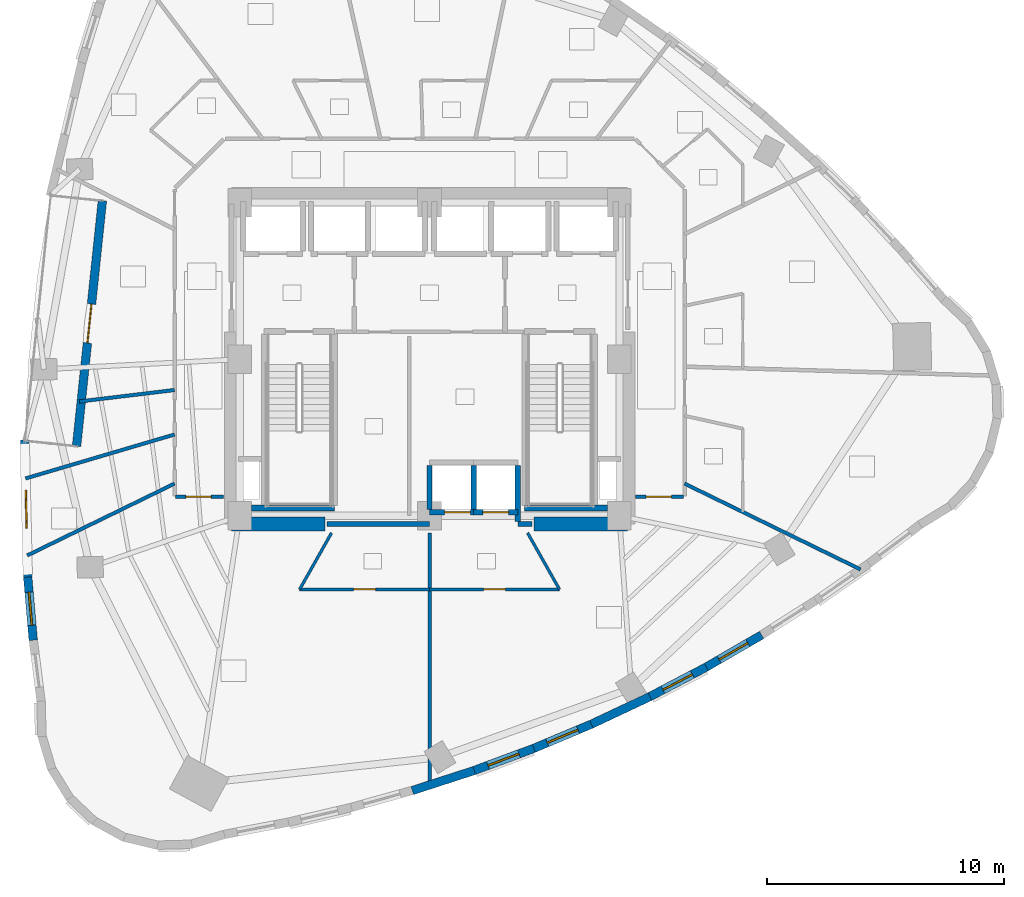
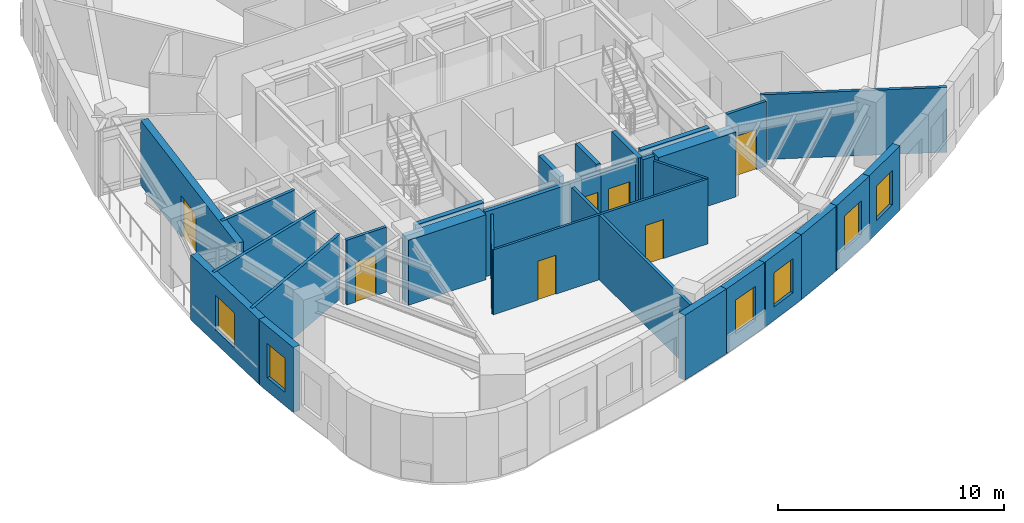
# One storey, part 5 of 12: 31 walls, 7 doors, 6 windows, 13 openings.
"""IFC4 building model written with IfcOpenShell, lengths in metres."""

import ifcopenshell
import ifcopenshell.guid

model = None  # the IFC model being written
_history = None  # IfcOwnerHistory: only IFC2X3 demands one
_inside = {}  # id of a spatial element -> (the spatial element, [elements in it])
_under = {}  # id of a project, library or spatial element -> (it, [spatial elements below it])
_declared = {}  # id of a project -> (the project, [libraries it declares])
_typed = {}  # id of a type object -> (the type object, [elements of that type])
_made_of = {}  # id of a material, layer set ... -> (it, [elements and type objects made of it])


def new_model(schema):
    """Start an empty IFC model of exactly this schema.

    Asked for "IFC4X3", IfcOpenShell would pick the latest addendum, in which some entities
    have other attributes; the version numbers below select the first issue.
    IFC2X3 requires an IfcOwnerHistory on every rooted entity: one is made here for all.
    """
    global model, _history
    if schema == "IFC4X3":
        model = ifcopenshell.file(schema_version=(4, 3, 0, 0))
    else:
        model = ifcopenshell.file(schema=schema)
    _inside.clear()
    _under.clear()
    _declared.clear()
    _typed.clear()
    _made_of.clear()
    _history = None
    if model.schema == "IFC2X3":
        org = make("IfcOrganization", Name="unknown")
        user = make(
            "IfcPersonAndOrganization",
            ThePerson=make("IfcPerson", FamilyName="unknown"),
            TheOrganization=org,
        )
        app = make(
            "IfcApplication",
            ApplicationDeveloper=org,
            Version="unknown",
            ApplicationFullName="unknown",
            ApplicationIdentifier="unknown",
        )
        _history = make(
            "IfcOwnerHistory",
            OwningUser=user,
            OwningApplication=app,
            ChangeAction="ADDED",
            CreationDate=0,
        )
    return model


def make(cls, **values):
    """One entity of the class cls with the attributes given. An attribute that is None is left unset."""
    return model.create_entity(
        cls, **{name: value for name, value in values.items() if value is not None}
    )


def rooted(cls, **values):
    """An entity with a GlobalId (a new one), such as an element, a storey or a relation."""
    return make(cls, GlobalId=ifcopenshell.guid.new(), OwnerHistory=_history, **values)


def si_unit(unit_type, name, prefix=None):
    """IfcSIUnit, for example si_unit("LENGTHUNIT", "METRE", prefix="MILLI")."""
    return make("IfcSIUnit", UnitType=unit_type, Prefix=prefix, Name=name)


def assignment(units):
    """IfcUnitAssignment: the units of a project."""
    return None if units is None else make("IfcUnitAssignment", Units=units)


def point(xyz):
    """IfcCartesianPoint."""
    return None if xyz is None else make("IfcCartesianPoint", Coordinates=xyz)


def direction(xyz):
    """IfcDirection."""
    return None if xyz is None else make("IfcDirection", DirectionRatios=xyz)


def frame(location, z_axis=None, x_axis=None):
    """IfcAxis2Placement3D, a coordinate frame: its origin and axes. An axis left out is left unset."""
    return make(
        "IfcAxis2Placement3D",
        Location=point(location),
        Axis=direction(z_axis),
        RefDirection=direction(x_axis),
    )


def frame_2d(location, x_axis=None):
    """IfcAxis2Placement2D, a coordinate frame in the plane: its origin and x axis."""
    return make(
        "IfcAxis2Placement2D", Location=point(location), RefDirection=direction(x_axis)
    )


def origin():
    """The frame at (0, 0, 0) with its axes left unset."""
    return frame((0.0, 0.0, 0.0))


def place(relative_to, where):
    """IfcLocalPlacement: puts the frame where relative to a parent placement (None: the world)."""
    return make(
        "IfcLocalPlacement", PlacementRelTo=relative_to, RelativePlacement=where
    )


def context(
    kind, dimensions, precision=None, world=None, true_north=None, identifier=None
):
    """IfcGeometricRepresentationContext, for example the 3D "Model" context."""
    return make(
        "IfcGeometricRepresentationContext",
        ContextIdentifier=identifier,
        ContextType=kind,
        CoordinateSpaceDimension=dimensions,
        Precision=precision,
        WorldCoordinateSystem=world,
        TrueNorth=true_north,
    )


def subcontext(parent, identifier, kind, view, scale=None):
    """IfcGeometricRepresentationSubContext, for example "Body" below "Model"."""
    return make(
        "IfcGeometricRepresentationSubContext",
        ContextIdentifier=identifier,
        ContextType=kind,
        ParentContext=parent,
        TargetScale=scale,
        TargetView=view,
    )


def project(units=None, contexts=None):
    """IfcProject with its units and contexts."""
    return rooted(
        "IfcProject",
        Name="project",
        RepresentationContexts=contexts,
        UnitsInContext=assignment(units),
    )


def spatial(cls, under=None, at=None, **own):
    """A site, building, storey or space (cls), placed at a placement, below another one or the project."""
    s = rooted(cls, ObjectPlacement=at, **own)
    if under is not None:
        _under.setdefault(under.id(), (under, []))[1].append(s)
    return s


def profile(cls, at=None, kind="AREA", **sizes):
    """A parametric profile (cls). Its sizes go by their IFC names, for example OverallWidth=200.0."""
    return make(cls, ProfileType=kind, Position=at, **sizes)


def rectangle(**sizes):
    """IfcRectangleProfileDef."""
    return profile("IfcRectangleProfileDef", **sizes)


def extrude(swept, where, along, depth):
    """IfcExtrudedAreaSolid: the profile swept, set in the frame where, extruded along a direction by depth."""
    return make(
        "IfcExtrudedAreaSolid",
        SweptArea=swept,
        Position=where,
        ExtrudedDirection=direction(along),
        Depth=depth,
    )


def shape(context_of_items, identifier, shape_type, items):
    """IfcShapeRepresentation: the items that make up one representation, for example the "Body"."""
    return make(
        "IfcShapeRepresentation",
        ContextOfItems=context_of_items,
        RepresentationIdentifier=identifier,
        RepresentationType=shape_type,
        Items=items,
    )


def material(Name=None, Category=None):
    """IfcMaterial."""
    return make("IfcMaterial", Name=Name, Category=Category)


def layer(
    of_material, thickness, ventilated=None, Name=None, Category=None, Priority=None
):
    """IfcMaterialLayer: one layer of a wall or slab, of a material (None: an air gap)."""
    return make(
        "IfcMaterialLayer",
        Material=of_material,
        LayerThickness=thickness,
        IsVentilated=ventilated,
        Name=Name,
        Category=Category,
        Priority=Priority,
    )


def layer_set(layers, Name=None):
    """IfcMaterialLayerSet."""
    return make("IfcMaterialLayerSet", MaterialLayers=layers, LayerSetName=Name)


def made_of(thing, what):
    """Note that an element or type object is made of a material, layer set ...; save() writes the relation."""
    if what is not None:
        _made_of.setdefault(what.id(), (what, []))[1].append(thing)
    return thing


def type_object(cls, material=None, **own):
    """A type object (cls), such as IfcWallType, which elements share."""
    return made_of(rooted(cls, **own), material)


def element(
    cls,
    number,
    at=None,
    inside=None,
    cuts=None,
    type_object=None,
    material=None,
    context=None,
    identifier="Body",
    shape_type=None,
    held_by="IfcProductDefinitionShape",
    body=None,
    shapes=None,
    **own,
):
    """One element of the class cls, such as IfcWall. Its Tag is "e" and its number.

    at: its placement. inside: the storey or other place that contains it. cuts: it is an
    opening in that element (IfcRelVoidsElement). A single representation is given by context,
    identifier, shape_type and body (its items); several are given by shapes. held_by: the class
    of the entity that holds the representations. save() writes the other relations.
    """
    e = rooted(cls, Tag="e%d" % number, ObjectPlacement=at, **own)
    if body is not None:
        shapes = [shape(context, identifier, shape_type, body)]
    if shapes is not None:
        e.Representation = make(held_by, Representations=shapes)
    if inside is not None:
        _inside.setdefault(inside.id(), (inside, []))[1].append(e)
    if cuts is not None:
        rooted(
            "IfcRelVoidsElement", RelatingBuildingElement=cuts, RelatedOpeningElement=e
        )
    if type_object is not None:
        _typed.setdefault(type_object.id(), (type_object, []))[1].append(e)
    return made_of(e, material)


def fill(opening, filler):
    """IfcRelFillsElement: the door or window that sits in an opening."""
    return rooted(
        "IfcRelFillsElement",
        RelatingOpeningElement=opening,
        RelatedBuildingElement=filler,
    )


def aggregate(whole, parts):
    """IfcRelAggregates: a whole, such as a stair, and the parts it consists of."""
    return rooted("IfcRelAggregates", RelatingObject=whole, RelatedObjects=parts)


def save(model, path):
    """Write the relations noted so far, then the file.

    IfcRelAggregates (storeys below a building ...), IfcRelContainedInSpatialStructure (elements
    in a storey), IfcRelDefinesByType, IfcRelAssociatesMaterial and IfcRelDeclares: one each for
    every whole, place, type object, material and project.
    """
    for whole, parts in _under.values():
        aggregate(whole, parts)
    for where, things in _inside.values():
        rooted(
            "IfcRelContainedInSpatialStructure",
            RelatedElements=things,
            RelatingStructure=where,
        )
    for kind, things in _typed.values():
        rooted("IfcRelDefinesByType", RelatedObjects=things, RelatingType=kind)
    for what, things in _made_of.values():
        rooted("IfcRelAssociatesMaterial", RelatedObjects=things, RelatingMaterial=what)
    for by, libraries in _declared.values():
        rooted("IfcRelDeclares", RelatingContext=by, RelatedDefinitions=libraries)
    model.write(path)


model = new_model("IFC4")

# Units and contexts
model_context = context("Model", 3, precision=1e-05, world=origin(), true_north=direction((0.0, 1.0)))
body_context = subcontext(model_context, "Body", "Model", "MODEL_VIEW")
ifc_project = project(units=[si_unit("LENGTHUNIT", "METRE"), si_unit("AREAUNIT", "SQUARE_METRE"), si_unit("VOLUMEUNIT", "CUBIC_METRE"), si_unit("PLANEANGLEUNIT", "RADIAN"), si_unit("MASSUNIT", "GRAM", prefix="KILO")], contexts=[model_context])

# Site, building, storey
site_placement = place(None, origin())
site = spatial("IfcSite", under=ifc_project, at=site_placement, CompositionType="ELEMENT")
building_placement = place(site_placement, origin())
building = spatial("IfcBuilding", under=site, at=building_placement, Name="Ndelora Gate Hotel", CompositionType="ELEMENT")
storey_placement = place(building_placement, frame((0.0, 0.0, 101.0)))
storey = spatial("IfcBuildingStorey", under=building, at=storey_placement, Name="L24", CompositionType="ELEMENT", Elevation=101.0)

# Wall, opening, door
ifc_material_1 = material(Name="Clay Brick Masonry", Category="masonry")
ifc_layer_1 = layer(ifc_material_1, 0.360107421875)
ifc_layer_set_1 = layer_set([ifc_layer_1], Name="Clay Brick Masonry")
wall_type_1 = type_object("IfcWallType", Name="WL-BRICK-360", PredefinedType="SOLIDWALL", material=ifc_layer_set_1)
wall_1_placement = place(storey_placement, frame((-14.880126953125, -3.664794921875, 0.0), z_axis=(0.0, 0.0, 1.0), x_axis=(0.104508820017, 0.994523959761, 0.0)))
wall_1 = element("IfcWall", 1, at=wall_1_placement, inside=storey, type_object=wall_type_1, Name="L24 Sky-Garden Loggia Rear Brick Wall", PredefinedType="SOLIDWALL", context=body_context, shape_type="SweptSolid", body=[
    extrude(rectangle(XDim=10.400146484375, YDim=0.360107421875, at=frame_2d((5.2001953125, 0.0))), origin(), (0.0, 0.0, 1.0), 3.5),
])
opening_1_placement = place(wall_1_placement, frame((4.375, 0.0, 0.0)))
opening_1 = element("IfcOpeningElement", 2, at=opening_1_placement, cuts=wall_1, Name="Opening TD1", PredefinedType="OPENING", context=body_context, shape_type="SweptSolid", body=[
    extrude(rectangle(XDim=1.64990234375, YDim=2.25, at=frame_2d((0.824951171875, 1.125))), frame((0.0, 0.18994140625, 0.0), z_axis=(0.0, -1.0, 0.0), x_axis=(1.0, 0.0, 0.0)), (0.0, 0.0, 1.0), 0.380126953125),
])
ifc_material_2 = material(Name="Architectural Bronze Glazed Door", Category="metal")
door_type_1 = type_object("IfcDoorType", Name="DR-TER-1650", OperationType="DOUBLE_DOOR_SINGLE_SWING", PredefinedType="DOOR", material=ifc_material_2)
door_1_placement = place(opening_1_placement, origin())
door_1 = element("IfcDoor", 3, at=door_1_placement, inside=storey, type_object=door_type_1, Name="L24 Sky-Garden Terrace Double Door TD1", OperationType="DOUBLE_DOOR_SINGLE_SWING", OverallHeight=2.25, OverallWidth=1.64990234375, PredefinedType="DOOR", context=body_context, shape_type="SweptSolid", body=[
    extrude(rectangle(XDim=1.64990234375, YDim=2.25, at=frame_2d((0.824951171875, 1.125))), frame((0.0, 0.02490234375, 0.0), z_axis=(0.0, -1.0, 0.0), x_axis=(1.0, 0.0, 0.0)), (0.0, 0.0, 1.0), 0.050048828125),
])
fill(opening_1, door_1)

# Wall, opening, window
wall_2_placement = place(storey_placement, frame((-16.937255859375, -9.235107421875, 0.0), z_axis=(0.0, 0.0, 1.0), x_axis=(-0.022541523753, 0.999745907572, 0.0)))
wall_2 = element("IfcWall", 4, at=wall_2_placement, inside=storey, type_object=wall_type_1, Name="L24 Tower Brick Pier-and-Spandrel Wall TWR-16", PredefinedType="SOLIDWALL", context=body_context, shape_type="SweptSolid", body=[
    extrude(rectangle(XDim=5.826904296875, YDim=0.360107421875, at=frame_2d((2.91357421875, 0.0))), origin(), (0.0, 0.0, 1.0), 3.5),
])
opening_2_placement = place(wall_2_placement, frame((2.11328125, 0.0, 0.719970703125)))
opening_2 = element("IfcOpeningElement", 5, at=opening_2_placement, cuts=wall_2, Name="Opening W01", PredefinedType="OPENING", context=body_context, shape_type="SweptSolid", body=[
    extrude(rectangle(XDim=1.60009765625, YDim=1.8798828125, at=frame_2d((0.800048828125, 0.93994140625))), frame((0.0, 0.18994140625, 0.0), z_axis=(0.0, -1.0, 0.0), x_axis=(1.0, 0.0, 0.0)), (0.0, 0.0, 1.0), 0.380126953125),
])
ifc_material_3 = material(Name="Insulated Low-E Double Glazing in Bronze Aluminium Frame", Category="aluminium")
window_type_1 = type_object("IfcWindowType", Name="WN-DEEP-1600", PartitioningType="SINGLE_PANEL", PredefinedType="WINDOW", material=ifc_material_3)
window_1_placement = place(opening_2_placement, origin())
window_1 = element("IfcWindow", 6, at=window_1_placement, inside=storey, type_object=window_type_1, Name="L24 Deep-Set Brick-Pier Window W01", OverallHeight=1.8798828125, OverallWidth=1.60009765625, PartitioningType="SINGLE_PANEL", PredefinedType="WINDOW", context=body_context, shape_type="SweptSolid", body=[
    extrude(rectangle(XDim=1.60009765625, YDim=1.8798828125, at=frame_2d((0.800048828125, 0.93994140625))), frame((0.0, 0.030029296875, 0.0), z_axis=(0.0, -1.0, 0.0), x_axis=(1.0, 0.0, 0.0)), (0.0, 0.0, 1.0), 0.06005859375),
])
fill(opening_2, window_1)

wall_3_placement = place(storey_placement, frame((-16.70849609375, -11.8447265625, 0.0), z_axis=(0.0, 0.0, 1.0), x_axis=(-0.086700653562, 0.996234408496, 0.0)))
wall_3 = element("IfcWall", 7, at=wall_3_placement, inside=storey, type_object=wall_type_1, Name="L24 Tower Brick Pier-and-Spandrel Wall TWR-17", PredefinedType="SOLIDWALL", context=body_context, shape_type="SweptSolid", body=[
    extrude(rectangle(XDim=2.66943359375, YDim=0.360107421875, at=frame_2d((1.334716796875, 0.0))), origin(), (0.0, 0.0, 1.0), 3.5),
])
opening_3_placement = place(wall_3_placement, frame((0.634765625, 0.0, 0.719970703125)))
opening_3 = element("IfcOpeningElement", 8, at=opening_3_placement, cuts=wall_3, Name="Opening W02", PredefinedType="OPENING", context=body_context, shape_type="SweptSolid", body=[
    extrude(rectangle(XDim=1.39990234375, YDim=1.840087890625, at=frame_2d((0.699951171875, 0.919921875))), frame((0.0, 0.18994140625, 0.0), z_axis=(0.0, -1.0, 0.0), x_axis=(1.0, 0.0, 0.0)), (0.0, 0.0, 1.0), 0.380126953125),
])
window_type_2 = type_object("IfcWindowType", Name="WN-DEEP-1400", PartitioningType="SINGLE_PANEL", PredefinedType="WINDOW", material=ifc_material_3)
window_2_placement = place(opening_3_placement, origin())
window_2 = element("IfcWindow", 9, at=window_2_placement, inside=storey, type_object=window_type_2, Name="L24 Deep-Set Brick-Pier Window W02", OverallHeight=1.840087890625, OverallWidth=1.39990234375, PartitioningType="SINGLE_PANEL", PredefinedType="WINDOW", context=body_context, shape_type="SweptSolid", body=[
    extrude(rectangle(XDim=1.39990234375, YDim=1.840087890625, at=frame_2d((0.699951171875, 0.919921875))), frame((0.0, 0.030029296875, 0.0), z_axis=(0.0, -1.0, 0.0), x_axis=(1.0, 0.0, 0.0)), (0.0, 0.0, 1.0), 0.06005859375),
])
fill(opening_3, window_2)

# Wall
wall_4_placement = place(storey_placement, frame((1.8818359375, -17.338623046875, 0.0), z_axis=(0.0, 0.0, 1.0), x_axis=(-0.951405423372, -0.307941098877, 0.0)))
element("IfcWall", 10, at=wall_4_placement, inside=storey, type_object=wall_type_1, Name="L24 Tower Brick Pier-and-Spandrel Wall TWR-30", PredefinedType="SOLIDWALL", context=body_context, shape_type="SweptSolid", body=[
    extrude(rectangle(XDim=2.743896484375, YDim=0.360107421875, at=frame_2d((1.3720703125, 0.0))), origin(), (0.0, 0.0, 1.0), 3.5),
])

# Wall, opening, window
wall_5_placement = place(storey_placement, frame((4.398193359375, -16.404052734375, 0.0), z_axis=(0.0, 0.0, 1.0), x_axis=(-0.937570914704, -0.347794163121, 0.0)))
wall_5 = element("IfcWall", 11, at=wall_5_placement, inside=storey, type_object=wall_type_1, Name="L24 Tower Brick Pier-and-Spandrel Wall TWR-31", PredefinedType="SOLIDWALL", context=body_context, shape_type="SweptSolid", body=[
    extrude(rectangle(XDim=2.734130859375, YDim=0.360107421875, at=frame_2d((1.3671875, 0.0))), origin(), (0.0, 0.0, 1.0), 3.5),
])
opening_4_placement = place(wall_5_placement, frame((0.667236328125, 0.0, 0.719970703125)))
opening_4 = element("IfcOpeningElement", 12, at=opening_4_placement, cuts=wall_5, Name="Opening W02", PredefinedType="OPENING", context=body_context, shape_type="SweptSolid", body=[
    extrude(rectangle(XDim=1.39990234375, YDim=1.840087890625, at=frame_2d((0.699951171875, 0.919921875))), frame((0.0, 0.18994140625, 0.0), z_axis=(0.0, -1.0, 0.0), x_axis=(1.0, 0.0, 0.0)), (0.0, 0.0, 1.0), 0.380126953125),
])
window_3_placement = place(opening_4_placement, origin())
window_3 = element("IfcWindow", 13, at=window_3_placement, inside=storey, type_object=window_type_2, Name="L24 Deep-Set Brick-Pier Window W02", OverallHeight=1.840087890625, OverallWidth=1.39990234375, PartitioningType="SINGLE_PANEL", PredefinedType="WINDOW", context=body_context, shape_type="SweptSolid", body=[
    extrude(rectangle(XDim=1.39990234375, YDim=1.840087890625, at=frame_2d((0.699951171875, 0.919921875))), frame((0.0, 0.030029296875, 0.0), z_axis=(0.0, -1.0, 0.0), x_axis=(1.0, 0.0, 0.0)), (0.0, 0.0, 1.0), 0.06005859375),
])
fill(opening_4, window_3)

wall_6_placement = place(storey_placement, frame((6.868408203125, -15.365478515625, 0.0), z_axis=(0.0, 0.0, 1.0), x_axis=(-0.921993601294, -0.387205112534, 0.0)))
wall_6 = element("IfcWall", 14, at=wall_6_placement, inside=storey, type_object=wall_type_1, Name="L24 Tower Brick Pier-and-Spandrel Wall TWR-32", PredefinedType="SOLIDWALL", context=body_context, shape_type="SweptSolid", body=[
    extrude(rectangle(XDim=2.7294921875, YDim=0.360107421875, at=frame_2d((1.36474609375, 0.0))), origin(), (0.0, 0.0, 1.0), 3.5),
])
opening_5_placement = place(wall_6_placement, frame((0.664794921875, 0.0, 0.719970703125)))
opening_5 = element("IfcOpeningElement", 15, at=opening_5_placement, cuts=wall_6, Name="Opening W02", PredefinedType="OPENING", context=body_context, shape_type="SweptSolid", body=[
    extrude(rectangle(XDim=1.39990234375, YDim=1.840087890625, at=frame_2d((0.699951171875, 0.919921875))), frame((0.0, 0.18994140625, 0.0), z_axis=(0.0, -1.0, 0.0), x_axis=(1.0, 0.0, 0.0)), (0.0, 0.0, 1.0), 0.380126953125),
])
window_4_placement = place(opening_5_placement, origin())
window_4 = element("IfcWindow", 16, at=window_4_placement, inside=storey, type_object=window_type_2, Name="L24 Deep-Set Brick-Pier Window W02", OverallHeight=1.840087890625, OverallWidth=1.39990234375, PartitioningType="SINGLE_PANEL", PredefinedType="WINDOW", context=body_context, shape_type="SweptSolid", body=[
    extrude(rectangle(XDim=1.39990234375, YDim=1.840087890625, at=frame_2d((0.699951171875, 0.919921875))), frame((0.0, 0.030029296875, 0.0), z_axis=(0.0, -1.0, 0.0), x_axis=(1.0, 0.0, 0.0)), (0.0, 0.0, 1.0), 0.06005859375),
])
fill(opening_5, window_4)

# Wall
wall_7_placement = place(storey_placement, frame((9.292236328125, -14.222900390625, 0.0), z_axis=(0.0, 0.0, 1.0), x_axis=(-0.904715296729, -0.426016703739, 0.0)))
element("IfcWall", 17, at=wall_7_placement, inside=storey, type_object=wall_type_1, Name="L24 Tower Brick Pier-and-Spandrel Wall TWR-33", PredefinedType="SOLIDWALL", context=body_context, shape_type="SweptSolid", body=[
    extrude(rectangle(XDim=2.7294921875, YDim=0.360107421875, at=frame_2d((1.36474609375, 0.0))), origin(), (0.0, 0.0, 1.0), 3.5),
])

# Wall, opening, window
wall_8_placement = place(storey_placement, frame((11.669677734375, -12.976318359375, 0.0), z_axis=(0.0, 0.0, 1.0), x_axis=(-0.885821049336, -0.464027012741, 0.0)))
wall_8 = element("IfcWall", 18, at=wall_8_placement, inside=storey, type_object=wall_type_1, Name="L24 Tower Brick Pier-and-Spandrel Wall TWR-34", PredefinedType="SOLIDWALL", context=body_context, shape_type="SweptSolid", body=[
    extrude(rectangle(XDim=2.734375, YDim=0.360107421875, at=frame_2d((1.3671875, 0.0))), origin(), (0.0, 0.0, 1.0), 3.5),
])
opening_6_placement = place(wall_8_placement, frame((0.667236328125, 0.0, 0.719970703125)))
opening_6 = element("IfcOpeningElement", 19, at=opening_6_placement, cuts=wall_8, Name="Opening W02", PredefinedType="OPENING", context=body_context, shape_type="SweptSolid", body=[
    extrude(rectangle(XDim=1.39990234375, YDim=1.840087890625, at=frame_2d((0.699951171875, 0.919921875))), frame((0.0, 0.18994140625, 0.0), z_axis=(0.0, -1.0, 0.0), x_axis=(1.0, 0.0, 0.0)), (0.0, 0.0, 1.0), 0.380126953125),
])
window_5_placement = place(opening_6_placement, origin())
window_5 = element("IfcWindow", 20, at=window_5_placement, inside=storey, type_object=window_type_2, Name="L24 Deep-Set Brick-Pier Window W02", OverallHeight=1.840087890625, OverallWidth=1.39990234375, PartitioningType="SINGLE_PANEL", PredefinedType="WINDOW", context=body_context, shape_type="SweptSolid", body=[
    extrude(rectangle(XDim=1.39990234375, YDim=1.840087890625, at=frame_2d((0.699951171875, 0.919921875))), frame((0.0, 0.030029296875, 0.0), z_axis=(0.0, -1.0, 0.0), x_axis=(1.0, 0.0, 0.0)), (0.0, 0.0, 1.0), 0.06005859375),
])
fill(opening_6, window_5)

wall_9_placement = place(storey_placement, frame((14.00048828125, -11.62548828125, 0.0), z_axis=(0.0, 0.0, 1.0), x_axis=(-0.86542019342, -0.501046793044, 0.0)))
wall_9 = element("IfcWall", 21, at=wall_9_placement, inside=storey, type_object=wall_type_1, Name="L24 Tower Brick Pier-and-Spandrel Wall TWR-35", PredefinedType="SOLIDWALL", context=body_context, shape_type="SweptSolid", body=[
    extrude(rectangle(XDim=2.74365234375, YDim=0.360107421875, at=frame_2d((1.371826171875, 0.0))), origin(), (0.0, 0.0, 1.0), 3.5),
])
opening_7_placement = place(wall_9_placement, frame((0.672119140625, 0.0, 0.719970703125)))
opening_7 = element("IfcOpeningElement", 22, at=opening_7_placement, cuts=wall_9, Name="Opening W02", PredefinedType="OPENING", context=body_context, shape_type="SweptSolid", body=[
    extrude(rectangle(XDim=1.39990234375, YDim=1.840087890625, at=frame_2d((0.699951171875, 0.919921875))), frame((0.0, 0.18994140625, 0.0), z_axis=(0.0, -1.0, 0.0), x_axis=(1.0, 0.0, 0.0)), (0.0, 0.0, 1.0), 0.380126953125),
])
window_6_placement = place(opening_7_placement, origin())
window_6 = element("IfcWindow", 23, at=window_6_placement, inside=storey, type_object=window_type_2, Name="L24 Deep-Set Brick-Pier Window W02", OverallHeight=1.840087890625, OverallWidth=1.39990234375, PartitioningType="SINGLE_PANEL", PredefinedType="WINDOW", context=body_context, shape_type="SweptSolid", body=[
    extrude(rectangle(XDim=1.39990234375, YDim=1.840087890625, at=frame_2d((0.699951171875, 0.919921875))), frame((0.0, 0.030029296875, 0.0), z_axis=(0.0, -1.0, 0.0), x_axis=(1.0, 0.0, 0.0)), (0.0, 0.0, 1.0), 0.06005859375),
])
fill(opening_7, window_6)

# Walls
ifc_material_4 = material(Name="Concrete C60/75", Category="concrete")
ifc_layer_2 = layer(ifc_material_4, 0.60009765625)
ifc_layer_set_2 = layer_set([ifc_layer_2], Name="Concrete C60/75")
wall_type_2 = type_object("IfcWallType", Name="WL-CORE-600", PredefinedType="SHEAR", material=ifc_layer_set_2)
for number, where, z_axis, x_axis, name in (
    (24, (-8.35009765625, -6.949951171875, 0.0), (0.0, 0.0, 1.0), (1.0, 0.0, 0.0), "L24 Core Shear Wall S-W"),
    (25, (4.39990234375, -6.949951171875, 0.0), (0.0, 0.0, 1.0), (1.0, 0.0, 0.0), "L24 Core Shear Wall S-E"),
):
    element("IfcWall", number, at=place(storey_placement, frame(where, z_axis=z_axis, x_axis=x_axis)), inside=storey, type_object=wall_type_2, Name=name, PredefinedType="SHEAR", context=body_context, shape_type="SweptSolid", body=[
        extrude(rectangle(XDim=3.9501953125, YDim=0.60009765625, at=frame_2d((1.97509765625, 0.0))), origin(), (0.0, 0.0, 1.0), 3.5),
    ])
ifc_material_5 = material(Name="Concrete C40/50", Category="concrete")
ifc_layer_3 = layer(ifc_material_5, 0.199951171875)
ifc_layer_set_3 = layer_set([ifc_layer_3], Name="Concrete C40/50")
wall_type_3 = type_object("IfcWallType", Name="WL-FIRE-200", PredefinedType="PARTITIONING", material=ifc_layer_set_3)
wall_10_placement = place(storey_placement, frame((-4.320068359375, -6.949951171875, 0.0), z_axis=(0.0, 0.0, 1.0), x_axis=(1.0, 0.0, 0.0)))
element("IfcWall", 26, at=wall_10_placement, inside=storey, type_object=wall_type_3, Name="L24 Interior Wall IW-2", PredefinedType="PARTITIONING", context=body_context, shape_type="SweptSolid", body=[
    extrude(rectangle(XDim=4.320068359375, YDim=0.199951171875, at=frame_2d((2.16015625, 0.0))), origin(), (0.0, 0.0, 1.0), 3.5),
])
wall_11_placement = place(storey_placement, frame((3.719970703125, -6.949951171875, 0.0), z_axis=(0.0, 0.0, 1.0), x_axis=(1.0, 0.0, 0.0)))
element("IfcWall", 27, at=wall_11_placement, inside=storey, type_object=wall_type_3, Name="L24 Interior Wall IW-2", PredefinedType="PARTITIONING", context=body_context, shape_type="SweptSolid", body=[
    extrude(rectangle(XDim=0.60009765625, YDim=0.199951171875, at=frame_2d((0.300048828125, 0.0))), origin(), (0.0, 0.0, 1.0), 3.5),
])

# Wall, opening, door
ifc_material_6 = material(Name="Fire-Rated Gypsum Stud Partition", Category="gypsum")
ifc_layer_4 = layer(ifc_material_6, 0.14990234375)
ifc_layer_set_4 = layer_set([ifc_layer_4], Name="Fire-Rated Gypsum Stud Partition")
wall_type_4 = type_object("IfcWallType", Name="WL-PART-150", PredefinedType="PARTITIONING", material=ifc_layer_set_4)
wall_12_placement = place(storey_placement, frame((-8.68994140625, -5.800048828125, 0.0), z_axis=(0.0, 0.0, 1.0), x_axis=(-1.0, 0.0, 0.0)))
wall_12 = element("IfcWall", 28, at=wall_12_placement, inside=storey, type_object=wall_type_4, Name="L24 Interior Wall IW-5", PredefinedType="PARTITIONING", context=body_context, shape_type="SweptSolid", body=[
    extrude(rectangle(XDim=2.02001953125, YDim=0.14990234375, at=frame_2d((1.010009765625, 0.0))), origin(), (0.0, 0.0, 1.0), 3.5),
])
opening_8_placement = place(wall_12_placement, frame((0.52001953125, 0.0, 0.0)))
opening_8 = element("IfcOpeningElement", 29, at=opening_8_placement, cuts=wall_12, Name="Opening D07", PredefinedType="OPENING", context=body_context, shape_type="SweptSolid", body=[
    extrude(rectangle(XDim=1.06005859375, YDim=2.14990234375, at=frame_2d((0.530029296875, 1.074951171875))), frame((0.0, 0.0849609375, 0.0), z_axis=(0.0, -1.0, 0.0), x_axis=(1.0, 0.0, 0.0)), (0.0, 0.0, 1.0), 0.169921875),
])
ifc_material_7 = material(Name="Diplomatic Suite Acoustic Entrance Door", Category="wood")
door_type_2 = type_object("IfcDoorType", Name="DR-SUITE-1060", OperationType="SINGLE_SWING_LEFT", PredefinedType="DOOR", material=ifc_material_7)
door_2_placement = place(opening_8_placement, origin())
door_2 = element("IfcDoor", 30, at=door_2_placement, inside=storey, type_object=door_type_2, Name="L24 Club King Corner Suite 2701 Entrance Door", OperationType="SINGLE_SWING_LEFT", OverallHeight=2.14990234375, OverallWidth=1.06005859375, PredefinedType="DOOR", context=body_context, shape_type="SweptSolid", body=[
    extrude(rectangle(XDim=1.06005859375, YDim=2.14990234375, at=frame_2d((0.530029296875, 1.074951171875))), frame((0.0, 0.02490234375, 0.0), z_axis=(0.0, -1.0, 0.0), x_axis=(1.0, 0.0, 0.0)), (0.0, 0.0, 1.0), 0.050048828125),
])
fill(opening_8, door_2)

wall_13_placement = place(storey_placement, frame((10.7099609375, -5.800048828125, 0.0), z_axis=(0.0, 0.0, 1.0), x_axis=(-1.0, 0.0, 0.0)))
wall_13 = element("IfcWall", 31, at=wall_13_placement, inside=storey, type_object=wall_type_4, Name="L24 Interior Wall IW-5", PredefinedType="PARTITIONING", context=body_context, shape_type="SweptSolid", body=[
    extrude(rectangle(XDim=2.02001953125, YDim=0.14990234375, at=frame_2d((1.010009765625, 0.0))), origin(), (0.0, 0.0, 1.0), 3.5),
])
opening_9_placement = place(wall_13_placement, frame((0.52001953125, 0.0, 0.0)))
opening_9 = element("IfcOpeningElement", 32, at=opening_9_placement, cuts=wall_13, Name="Opening D07", PredefinedType="OPENING", context=body_context, shape_type="SweptSolid", body=[
    extrude(rectangle(XDim=1.06005859375, YDim=2.14990234375, at=frame_2d((0.530029296875, 1.074951171875))), frame((0.0, 0.0849609375, 0.0), z_axis=(0.0, -1.0, 0.0), x_axis=(1.0, 0.0, 0.0)), (0.0, 0.0, 1.0), 0.169921875),
])
door_3_placement = place(opening_9_placement, origin())
door_3 = element("IfcDoor", 33, at=door_3_placement, inside=storey, type_object=door_type_2, Name="L24 Club Twin Corner Suite 2702 Entrance Door", OperationType="SINGLE_SWING_RIGHT", OverallHeight=2.14990234375, OverallWidth=1.06005859375, PredefinedType="DOOR", context=body_context, shape_type="SweptSolid", body=[
    extrude(rectangle(XDim=1.06005859375, YDim=2.14990234375, at=frame_2d((0.530029296875, 1.074951171875))), frame((0.0, 0.02490234375, 0.0), z_axis=(0.0, -1.0, 0.0), x_axis=(1.0, 0.0, 0.0)), (0.0, 0.0, 1.0), 0.050048828125),
])
fill(opening_9, door_3)

# Walls
wall_14_placement = place(storey_placement, frame((-10.75, -5.2431640625, 0.0), z_axis=(0.0, 0.0, 1.0), x_axis=(-0.898794257847, -0.438370713052, 0.0)))
element("IfcWall", 34, at=wall_14_placement, inside=storey, type_object=wall_type_4, Name="L24 Interior Wall IW-5", PredefinedType="PARTITIONING", context=body_context, shape_type="SweptSolid", body=[
    extrude(rectangle(XDim=6.908203125, YDim=0.14990234375, at=frame_2d((3.4541015625, 0.0))), origin(), (0.0, 0.0, 1.0), 3.5),
])
wall_15_placement = place(storey_placement, frame((0.0, -7.320068359375, 0.0), z_axis=(0.0, 0.0, 1.0), x_axis=(0.0, -1.0, 0.0)))
element("IfcWall", 35, at=wall_15_placement, inside=storey, type_object=wall_type_4, Name="L24 Interior Wall IW-5", PredefinedType="PARTITIONING", context=body_context, shape_type="SweptSolid", body=[
    extrude(rectangle(XDim=10.62744140625, YDim=0.14990234375, at=frame_2d((5.313720703125, 0.0))), origin(), (0.0, 0.0, 1.0), 3.5),
])
wall_16_placement = place(storey_placement, frame((10.75, -5.2431640625, 0.0), z_axis=(0.0, 0.0, 1.0), x_axis=(0.898792044872, -0.4383752503, 0.0)))
element("IfcWall", 36, at=wall_16_placement, inside=storey, type_object=wall_type_4, Name="L24 Interior Wall IW-5", PredefinedType="PARTITIONING", context=body_context, shape_type="SweptSolid", body=[
    extrude(rectangle(XDim=8.251953125, YDim=0.14990234375, at=frame_2d((4.1259765625, 0.0))), origin(), (0.0, 0.0, 1.0), 3.5),
])
wall_17_placement = place(storey_placement, frame((-10.75, -1.2978515625, 0.0), z_axis=(0.0, 0.0, 1.0), x_axis=(-0.992792513818, -0.119845836422, 0.0)))
element("IfcWall", 37, at=wall_17_placement, inside=storey, type_object=wall_type_4, Name="L24 Interior Wall IW-5", PredefinedType="PARTITIONING", context=body_context, shape_type="SweptSolid", body=[
    extrude(rectangle(XDim=4.03955078125, YDim=0.14990234375, at=frame_2d((2.019775390625, 0.0))), origin(), (0.0, 0.0, 1.0), 3.5),
])
wall_18_placement = place(storey_placement, frame((-10.75, -3.172607421875, 0.0), z_axis=(0.0, 0.0, 1.0), x_axis=(-0.959115252186, -0.283015782288, 0.0)))
element("IfcWall", 38, at=wall_18_placement, inside=storey, type_object=wall_type_4, Name="L24 Interior Wall IW-5", PredefinedType="PARTITIONING", context=body_context, shape_type="SweptSolid", body=[
    extrude(rectangle(XDim=6.550048828125, YDim=0.14990234375, at=frame_2d((3.27490234375, 0.0))), origin(), (0.0, 0.0, 1.0), 3.5),
])

# Wall, opening, door
ifc_layer_5 = layer(ifc_material_5, 0.219970703125)
ifc_layer_set_5 = layer_set([ifc_layer_5], Name="Concrete C40/50")
wall_type_5 = type_object("IfcWallType", Name="WL-SHAFT-220", PredefinedType="PARTITIONING", material=ifc_layer_set_5)
wall_19_placement = place(storey_placement, frame((0.0, -6.449951171875, 0.0), z_axis=(0.0, 0.0, 1.0), x_axis=(1.0, 0.0, 0.0)))
wall_19 = element("IfcWall", 39, at=wall_19_placement, inside=storey, type_object=wall_type_5, Name="L24 Interior Wall IW-1", PredefinedType="PARTITIONING", context=body_context, shape_type="SweptSolid", body=[
    extrude(rectangle(XDim=1.860107421875, YDim=0.219970703125, at=frame_2d((0.93017578125, 0.0))), origin(), (0.0, 0.0, 1.0), 3.1201171875),
])
opening_10_placement = place(wall_19_placement, frame((0.639892578125, 0.0, 0.0)))
opening_10 = element("IfcOpeningElement", 40, at=opening_10_placement, cuts=wall_19, Name="Opening LD2", PredefinedType="OPENING", context=body_context, shape_type="SweptSolid", body=[
    extrude(rectangle(XDim=1.080078125, YDim=2.14990234375, at=frame_2d((0.5400390625, 1.074951171875))), frame((0.0, 0.1201171875, 0.0), z_axis=(0.0, -1.0, 0.0), x_axis=(1.0, 0.0, 0.0)), (0.0, 0.0, 1.0), 0.239990234375),
])
ifc_material_8 = material(Name="Brushed Bronze Stainless Lift Landing Door", Category="metal")
door_type_3 = type_object("IfcDoorType", Name="DR-LD2", OperationType="DOUBLE_DOOR_SLIDING", PredefinedType="DOOR", material=ifc_material_8)
door_4_placement = place(opening_10_placement, origin())
door_4 = element("IfcDoor", 41, at=door_4_placement, inside=storey, type_object=door_type_3, Name="L24 Lift Landing Sliding Door P2A", OperationType="DOUBLE_DOOR_SLIDING", OverallHeight=2.14990234375, OverallWidth=1.080078125, PredefinedType="DOOR", context=body_context, shape_type="SweptSolid", body=[
    extrude(rectangle(XDim=1.080078125, YDim=2.14990234375, at=frame_2d((0.5400390625, 1.074951171875))), frame((0.0, 0.02490234375, 0.0), z_axis=(0.0, -1.0, 0.0), x_axis=(1.0, 0.0, 0.0)), (0.0, 0.0, 1.0), 0.050048828125),
])
fill(opening_10, door_4)

# Walls
for number, where, z_axis, x_axis, name in (
    (42, (0.0, -6.330078125, 0.0), (0.0, 0.0, 1.0), (0.0, 1.0, 0.0), "L24 Interior Wall IW-1"),
    (43, (1.860107421875, -6.330078125, 0.0), (0.0, 0.0, 1.0), (0.0, 1.0, 0.0), "L24 Interior Wall IW-1"),
):
    element("IfcWall", number, at=place(storey_placement, frame(where, z_axis=z_axis, x_axis=x_axis)), inside=storey, type_object=wall_type_5, Name=name, PredefinedType="PARTITIONING", context=body_context, shape_type="SweptSolid", body=[
        extrude(rectangle(XDim=1.860107421875, YDim=0.219970703125, at=frame_2d((0.93017578125, 0.0))), origin(), (0.0, 0.0, 1.0), 3.5),
    ])

# Wall, opening, door
wall_20_placement = place(storey_placement, frame((1.860107421875, -6.449951171875, 0.0), z_axis=(0.0, 0.0, 1.0), x_axis=(1.0, 0.0, 0.0)))
wall_20 = element("IfcWall", 44, at=wall_20_placement, inside=storey, type_object=wall_type_5, Name="L24 Interior Wall IW-1", PredefinedType="PARTITIONING", context=body_context, shape_type="SweptSolid", body=[
    extrude(rectangle(XDim=1.85986328125, YDim=0.219970703125, at=frame_2d((0.929931640625, 0.0))), origin(), (0.0, 0.0, 1.0), 3.1201171875),
])
opening_11_placement = place(wall_20_placement, frame((0.389892578125, 0.0, 0.0)))
opening_11 = element("IfcOpeningElement", 45, at=opening_11_placement, cuts=wall_20, Name="Opening LD2", PredefinedType="OPENING", context=body_context, shape_type="SweptSolid", body=[
    extrude(rectangle(XDim=1.080078125, YDim=2.14990234375, at=frame_2d((0.5400390625, 1.074951171875))), frame((0.0, 0.1201171875, 0.0), z_axis=(0.0, -1.0, 0.0), x_axis=(1.0, 0.0, 0.0)), (0.0, 0.0, 1.0), 0.239990234375),
])
door_5_placement = place(opening_11_placement, origin())
door_5 = element("IfcDoor", 46, at=door_5_placement, inside=storey, type_object=door_type_3, Name="L24 Lift Landing Sliding Door P2B", OperationType="DOUBLE_DOOR_SLIDING", OverallHeight=2.14990234375, OverallWidth=1.080078125, PredefinedType="DOOR", context=body_context, shape_type="SweptSolid", body=[
    extrude(rectangle(XDim=1.080078125, YDim=2.14990234375, at=frame_2d((0.5400390625, 1.074951171875))), frame((0.0, 0.02490234375, 0.0), z_axis=(0.0, -1.0, 0.0), x_axis=(1.0, 0.0, 0.0)), (0.0, 0.0, 1.0), 0.050048828125),
])
fill(opening_11, door_5)

# Walls
wall_21_placement = place(storey_placement, frame((3.719970703125, -6.830078125, 0.0), z_axis=(0.0, 0.0, 1.0), x_axis=(0.0, 1.0, 0.0)))
element("IfcWall", 47, at=wall_21_placement, inside=storey, type_object=wall_type_5, Name="L24 Interior Wall IW-1", PredefinedType="PARTITIONING", context=body_context, shape_type="SweptSolid", body=[
    extrude(rectangle(XDim=2.360107421875, YDim=0.219970703125, at=frame_2d((1.18017578125, 0.0))), origin(), (0.0, 0.0, 1.0), 3.5),
])
ifc_material_9 = material(Name="Concrete C50/60", Category="concrete")
ifc_layer_6 = layer(ifc_material_9, 0.239990234375)
ifc_layer_set_6 = layer_set([ifc_layer_6], Name="Concrete C50/60")
wall_type_6 = type_object("IfcWallType", Name="WL-STAIR-240", PredefinedType="SHEAR", material=ifc_layer_set_6)
for number, where, z_axis, x_axis, name in (
    (48, (-7.5, -6.27001953125, 0.0), (0.0, 0.0, 1.0), (1.0, 0.0, 0.0), "L24 Stair Core Shear Wall SW-ST"),
    (49, (4.010009765625, -6.27001953125, 0.0), (0.0, 0.0, 1.0), (1.0, 0.0, 0.0), "L24 Stair Core Shear Wall SW-ST"),
):
    element("IfcWall", number, at=place(storey_placement, frame(where, z_axis=z_axis, x_axis=x_axis)), inside=storey, type_object=wall_type_6, Name=name, PredefinedType="SHEAR", context=body_context, shape_type="SweptSolid", body=[
        extrude(rectangle(XDim=3.489990234375, YDim=0.239990234375, at=frame_2d((1.7451171875, 0.0))), origin(), (0.0, 0.0, 1.0), 3.5),
    ])

# Wall, opening, door
ifc_material_10 = material(Name="Moisture-Resistant Bathroom Tile Partition", Category="gypsum")
ifc_layer_7 = layer(ifc_material_10, 0.1201171875)
ifc_layer_set_7 = layer_set([ifc_layer_7], Name="Moisture-Resistant Bathroom Tile Partition")
wall_type_7 = type_object("IfcWallType", Name="WL-WET-120", PredefinedType="PARTITIONING", material=ifc_layer_set_7)
wall_22_placement = place(storey_placement, frame((0.0, -9.699951171875, 0.0), z_axis=(0.0, 0.0, 1.0), x_axis=(-1.0, 0.0, 0.0)))
wall_22 = element("IfcWall", 50, at=wall_22_placement, inside=storey, type_object=wall_type_7, Name="L24 Interior Wall IW-7", PredefinedType="PARTITIONING", context=body_context, shape_type="SweptSolid", body=[
    extrude(rectangle(XDim=5.474609375, YDim=0.1201171875, at=frame_2d((2.7373046875, 0.0))), origin(), (0.0, 0.0, 1.0), 3.5),
])
opening_12_placement = place(wall_22_placement, frame((2.27734375, 0.0, 0.0)))
opening_12 = element("IfcOpeningElement", 51, at=opening_12_placement, cuts=wall_22, Name="Opening D03", PredefinedType="OPENING", context=body_context, shape_type="SweptSolid", body=[
    extrude(rectangle(XDim=0.919921875, YDim=2.10009765625, at=frame_2d((0.4599609375, 1.050048828125))), frame((0.0, 0.070068359375, 0.0), z_axis=(0.0, -1.0, 0.0), x_axis=(1.0, 0.0, 0.0)), (0.0, 0.0, 1.0), 0.14013671875),
])
ifc_material_11 = material(Name="Moisture-Resistant Hardwood En-Suite Door", Category="wood")
door_type_4 = type_object("IfcDoorType", Name="DR-BATH-920", OperationType="SINGLE_SWING_LEFT", PredefinedType="DOOR", material=ifc_material_11)
door_6_placement = place(opening_12_placement, origin())
door_6 = element("IfcDoor", 52, at=door_6_placement, inside=storey, type_object=door_type_4, Name="L24 En-suite Bathroom 2701 Door", OperationType="SINGLE_SWING_RIGHT", OverallHeight=2.10009765625, OverallWidth=0.919921875, PredefinedType="DOOR", context=body_context, shape_type="SweptSolid", body=[
    extrude(rectangle(XDim=0.919921875, YDim=2.10009765625, at=frame_2d((0.4599609375, 1.050048828125))), frame((0.0, 0.02490234375, 0.0), z_axis=(0.0, -1.0, 0.0), x_axis=(1.0, 0.0, 0.0)), (0.0, 0.0, 1.0), 0.050048828125),
])
fill(opening_12, door_6)

# Walls
for number, where, z_axis, x_axis, name in (
    (53, (-5.474609375, -9.699951171875, 0.0), (0.0, 0.0, 1.0), (0.491533175525, 0.870858850422, 0.0), "L24 Interior Wall IW-7"),
    (54, (4.13134765625, -7.320068359375, 0.0), (0.0, 0.0, 1.0), (0.491533175525, -0.870858850422, 0.0), "L24 Interior Wall IW-7"),
):
    element("IfcWall", number, at=place(storey_placement, frame(where, z_axis=z_axis, x_axis=x_axis)), inside=storey, type_object=wall_type_7, Name=name, PredefinedType="PARTITIONING", context=body_context, shape_type="SweptSolid", body=[
        extrude(rectangle(XDim=2.73291015625, YDim=0.1201171875, at=frame_2d((1.366455078125, 0.0))), origin(), (0.0, 0.0, 1.0), 3.5),
    ])

# Wall, opening, door
wall_23_placement = place(storey_placement, frame((5.474609375, -9.699951171875, 0.0), z_axis=(0.0, 0.0, 1.0), x_axis=(-1.0, 0.0, 0.0)))
wall_23 = element("IfcWall", 55, at=wall_23_placement, inside=storey, type_object=wall_type_7, Name="L24 Interior Wall IW-7", PredefinedType="PARTITIONING", context=body_context, shape_type="SweptSolid", body=[
    extrude(rectangle(XDim=5.474609375, YDim=0.1201171875, at=frame_2d((2.7373046875, 0.0))), origin(), (0.0, 0.0, 1.0), 3.5),
])
opening_13_placement = place(wall_23_placement, frame((2.27734375, 0.0, 0.0)))
opening_13 = element("IfcOpeningElement", 56, at=opening_13_placement, cuts=wall_23, Name="Opening D03", PredefinedType="OPENING", context=body_context, shape_type="SweptSolid", body=[
    extrude(rectangle(XDim=0.919921875, YDim=2.10009765625, at=frame_2d((0.4599609375, 1.050048828125))), frame((0.0, 0.070068359375, 0.0), z_axis=(0.0, -1.0, 0.0), x_axis=(1.0, 0.0, 0.0)), (0.0, 0.0, 1.0), 0.14013671875),
])
door_7_placement = place(opening_13_placement, origin())
door_7 = element("IfcDoor", 57, at=door_7_placement, inside=storey, type_object=door_type_4, Name="L24 En-suite Bathroom 2702 Door", OperationType="SINGLE_SWING_LEFT", OverallHeight=2.10009765625, OverallWidth=0.919921875, PredefinedType="DOOR", context=body_context, shape_type="SweptSolid", body=[
    extrude(rectangle(XDim=0.919921875, YDim=2.10009765625, at=frame_2d((0.4599609375, 1.050048828125))), frame((0.0, 0.02490234375, 0.0), z_axis=(0.0, -1.0, 0.0), x_axis=(1.0, 0.0, 0.0)), (0.0, 0.0, 1.0), 0.050048828125),
])
fill(opening_13, door_7)

save(model, "model.ifc")
